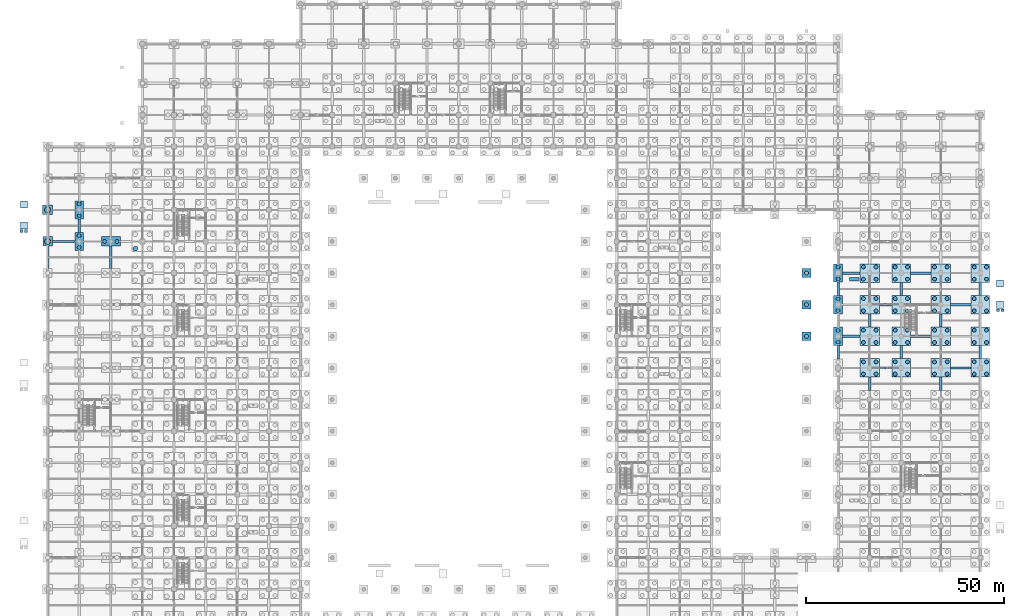
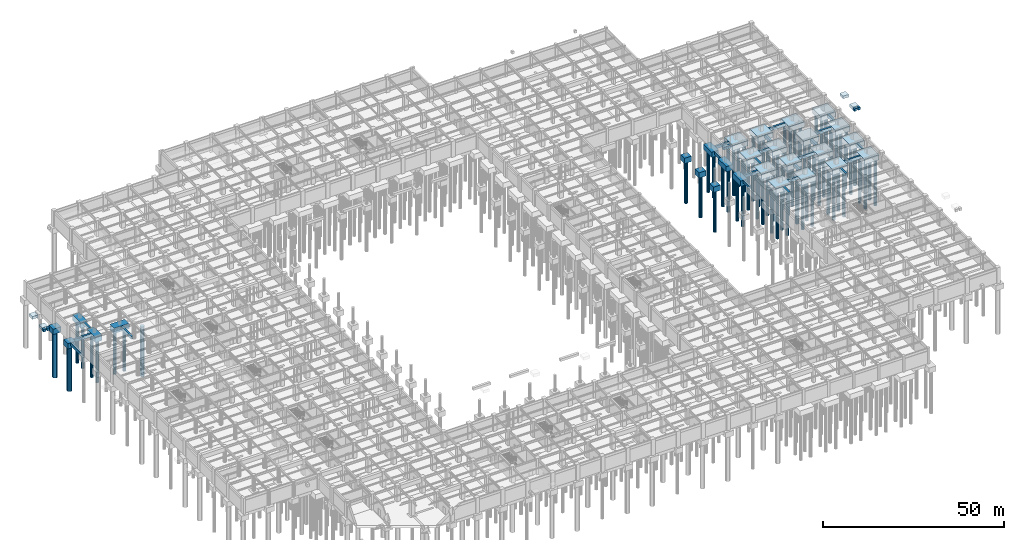
# One storey, part 13 of 97: 82 piles, 58 footings.
"""IFC4 building model written with IfcOpenShell, lengths in metres."""

from ifc_helpers import new_model, si_unit, direction, frame, origin, origin_2d, place, context, subcontext, project, spatial, rectangle, circle, extrude, material, layer, layer_set, material_profile, profile_set, type_object, element, save


model = new_model("IFC4")

# Units and contexts
model_context = context("Model", 3, precision=1e-05, world=origin(), true_north=direction((0.0, 1.0)))
body_context = subcontext(model_context, "Body", "Model", "MODEL_VIEW")
ifc_project = project(units=[si_unit("LENGTHUNIT", "METRE"), si_unit("AREAUNIT", "SQUARE_METRE"), si_unit("VOLUMEUNIT", "CUBIC_METRE"), si_unit("PLANEANGLEUNIT", "RADIAN"), si_unit("MASSUNIT", "GRAM", prefix="KILO")], contexts=[model_context])

# Site, building, storey
site_placement = place(None, origin())
site = spatial("IfcSite", under=ifc_project, at=site_placement, CompositionType="ELEMENT")
building_placement = place(site_placement, origin())
building = spatial("IfcBuilding", under=site, at=building_placement, Name="Haebicheon Civic Stadium", CompositionType="ELEMENT")
storey_placement = place(building_placement, frame((0.0, 0.0, -5.39990234375)))
storey = spatial("IfcBuildingStorey", under=building, at=storey_placement, Name="B1", CompositionType="ELEMENT", Elevation=-5.39990234375)

# Footings
ifc_material_1 = material(Name="Concrete C40/50", Category="concrete")
ifc_layer_1 = layer(ifc_material_1, 1.0, Name="Concrete C40/50")
ifc_layer_set_1 = layer_set([ifc_layer_1], Name="Concrete C40/50")
footing_type_1 = type_object("IfcFootingType", Name="FB-3200x600", PredefinedType="FOOTING_BEAM", material=ifc_layer_set_1)
for number, where, z_axis, x_axis, name in (
    (1, (212.050048828125, 96.0, -1.0), (0.0, 0.0, 1.0), (1.0, 0.0, 0.0), "Ground tie beam X 26-12"),
    (2, (212.050048828125, 112.0, -1.0), (0.0, 0.0, 1.0), (1.0, 0.0, 0.0), "Ground tie beam X 26-14"),
):
    element("IfcFooting", number, at=place(storey_placement, frame(where, z_axis=z_axis, x_axis=x_axis)), inside=storey, type_object=footing_type_1, material=ifc_layer_set_1, Name=name, PredefinedType="FOOTING_BEAM", context=body_context, shape_type="SweptSolid", body=[
        extrude(rectangle(XDim=3.199951171875, YDim=0.60009765625, at=origin_2d()), origin(), (0.0, 0.0, 1.0), 1.0),
    ])
ifc_material_2 = material(Name="Concrete C40/50", Category="concrete")
ifc_layer_2 = layer(ifc_material_2, 1.0, Name="Concrete C40/50")
ifc_layer_set_2 = layer_set([ifc_layer_2], Name="Concrete C40/50")
footing_type_2 = type_object("IfcFootingType", Name="FB-3300x600", PredefinedType="FOOTING_BEAM", material=ifc_layer_set_2)
for number, where, z_axis, x_axis, name in (
    (3, (208.0, 92.0, -1.0), (0.0, 0.0, 1.0), (0.0, 1.0, 0.0), "Ground tie beam Y 26-11"),
    (4, (208.0, 108.0, -1.0), (0.0, 0.0, 1.0), (0.0, 1.0, 0.0), "Ground tie beam Y 26-13"),
    (5, (216.0, 100.0, -1.0), (0.0, 0.0, 1.0), (0.0, 1.0, 0.0), "Ground tie beam Y 27-12"),
    (6, (216.0, 116.0, -1.0), (0.0, 0.0, 1.0), (0.0, 1.0, 0.0), "Ground tie beam Y 27-14"),
    (7, (226.0, 92.0, -1.0), (0.0, 0.0, 1.0), (0.0, 1.0, 0.0), "Ground tie beam Y 28-11"),
    (8, (226.0, 108.0, -1.0), (0.0, 0.0, 1.0), (0.0, 1.0, 0.0), "Ground tie beam Y 28-13"),
    (9, (236.0, 100.0, -1.0), (0.0, 0.0, 1.0), (0.0, 1.0, 0.0), "Ground tie beam Y 29-12"),
    (10, (236.0, 116.0, -1.0), (0.0, 0.0, 1.0), (0.0, 1.0, 0.0), "Ground tie beam Y 29-14"),
):
    element("IfcFooting", number, at=place(storey_placement, frame(where, z_axis=z_axis, x_axis=x_axis)), inside=storey, type_object=footing_type_2, material=ifc_layer_set_2, Name=name, PredefinedType="FOOTING_BEAM", context=body_context, shape_type="SweptSolid", body=[
        extrude(rectangle(XDim=3.300048828125, YDim=0.60009765625, at=origin_2d()), origin(), (0.0, 0.0, 1.0), 1.0),
    ])
ifc_material_3 = material(Name="Concrete C40/50", Category="concrete")
ifc_layer_3 = layer(ifc_material_3, 1.0, Name="Concrete C40/50")
ifc_layer_set_3 = layer_set([ifc_layer_3], Name="Concrete C40/50")
footing_type_3 = type_object("IfcFootingType", Name="FB-3400x600", PredefinedType="FOOTING_BEAM", material=ifc_layer_set_3)
for number, where, z_axis, x_axis, name in (
    (11, (8.0, 132.0, -1.0), (0.0, 0.0, 1.0), (0.0, 1.0, 0.0), "Ground tie beam Y 01-16"),
    (12, (200.0, 100.0, -1.0), (0.0, 0.0, 1.0), (0.0, 1.0, 0.0), "Ground tie beam Y 25-12"),
    (13, (200.0, 116.0, -1.0), (0.0, 0.0, 1.0), (0.0, 1.0, 0.0), "Ground tie beam Y 25-14"),
):
    element("IfcFooting", number, at=place(storey_placement, frame(where, z_axis=z_axis, x_axis=x_axis)), inside=storey, type_object=footing_type_3, material=ifc_layer_set_3, Name=name, PredefinedType="FOOTING_BEAM", context=body_context, shape_type="SweptSolid", body=[
        extrude(rectangle(XDim=3.39990234375, YDim=0.60009765625, at=origin_2d()), origin(), (0.0, 0.0, 1.0), 1.0),
    ])
ifc_material_4 = material(Name="Concrete C40/50", Category="concrete")
ifc_layer_4 = layer(ifc_material_4, 1.0, Name="Concrete C40/50")
ifc_layer_set_4 = layer_set([ifc_layer_4], Name="Concrete C40/50")
footing_type_4 = type_object("IfcFootingType", Name="FB-4450x600", PredefinedType="FOOTING_BEAM", material=ifc_layer_set_4)
for number, where, z_axis, x_axis, name in (
    (14, (203.324951171875, 104.0, -1.0), (0.0, 0.0, 1.0), (1.0, 0.0, 0.0), "Ground tie beam X 25-13"),
    (15, (203.324951171875, 120.0, -1.0), (0.0, 0.0, 1.0), (1.0, 0.0, 0.0), "Ground tie beam X 25-15"),
):
    element("IfcFooting", number, at=place(storey_placement, frame(where, z_axis=z_axis, x_axis=x_axis)), inside=storey, type_object=footing_type_4, material=ifc_layer_set_4, Name=name, PredefinedType="FOOTING_BEAM", context=body_context, shape_type="SweptSolid", body=[
        extrude(rectangle(XDim=4.449951171875, YDim=0.60009765625, at=origin_2d()), origin(), (0.0, 0.0, 1.0), 1.0),
    ])
ifc_material_5 = material(Name="Concrete C40/50", Category="concrete")
ifc_layer_5 = layer(ifc_material_5, 1.0, Name="Concrete C40/50")
ifc_layer_set_5 = layer_set([ifc_layer_5], Name="Concrete C40/50")
footing_type_5 = type_object("IfcFootingType", Name="FB-5200x600", PredefinedType="FOOTING_BEAM", material=ifc_layer_set_5)
for number, where, z_axis, x_axis, name in (
    (16, (220.949951171875, 104.0, -1.0), (0.0, 0.0, 1.0), (1.0, 0.0, 0.0), "Ground tie beam X 27-13"),
    (17, (220.949951171875, 120.0, -1.0), (0.0, 0.0, 1.0), (1.0, 0.0, 0.0), "Ground tie beam X 27-15"),
    (18, (231.050048828125, 96.0, -1.0), (0.0, 0.0, 1.0), (1.0, 0.0, 0.0), "Ground tie beam X 28-12"),
    (19, (231.050048828125, 112.0, -1.0), (0.0, 0.0, 1.0), (1.0, 0.0, 0.0), "Ground tie beam X 28-14"),
):
    element("IfcFooting", number, at=place(storey_placement, frame(where, z_axis=z_axis, x_axis=x_axis)), inside=storey, type_object=footing_type_5, material=ifc_layer_set_5, Name=name, PredefinedType="FOOTING_BEAM", context=body_context, shape_type="SweptSolid", body=[
        extrude(rectangle(XDim=5.199951171875, YDim=0.60009765625, at=origin_2d()), origin(), (0.0, 0.0, 1.0), 1.0),
    ])
ifc_material_6 = material(Name="Concrete C40/50", Category="concrete")
ifc_layer_6 = layer(ifc_material_6, 1.0, Name="Concrete C40/50")
ifc_layer_set_6 = layer_set([ifc_layer_6], Name="Concrete C40/50")
footing_type_6 = type_object("IfcFootingType", Name="FB-5700x600", PredefinedType="FOOTING_BEAM", material=ifc_layer_set_6)
for number, where, z_axis, x_axis, name in (
    (20, (0.0, 123.949951171875, -1.0), (0.0, 0.0, 1.0), (0.0, 1.0, 0.0), "Ground tie beam Y 00-15"),
    (21, (4.050048828125, 128.0, -1.0), (0.0, 0.0, 1.0), (1.0, 0.0, 0.0), "Ground tie beam X 00-16"),
    (22, (16.0, 123.949951171875, -1.0), (0.0, 0.0, 1.0), (0.0, 1.0, 0.0), "Ground tie beam Y 02-15"),
):
    element("IfcFooting", number, at=place(storey_placement, frame(where, z_axis=z_axis, x_axis=x_axis)), inside=storey, type_object=footing_type_6, material=ifc_layer_set_6, Name=name, PredefinedType="FOOTING_BEAM", context=body_context, shape_type="SweptSolid", body=[
        extrude(rectangle(XDim=5.699951171875, YDim=0.60009765625, at=origin_2d()), origin(), (0.0, 0.0, 1.0), 1.0),
    ])
ifc_material_7 = material(Name="Concrete C40/50", Category="concrete")
ifc_layer_7 = layer(ifc_material_7, 1.800048828125, Name="Concrete C40/50")
ifc_layer_set_7 = layer_set([ifc_layer_7], Name="Concrete C40/50")
footing_type_7 = type_object("IfcFootingType", Name="PC-1P-2200", PredefinedType="PILE_CAP", material=ifc_layer_set_7)
for number, where, z_axis, x_axis, name in (
    (23, (192.0, 104.0, -1.80029296875), (0.0, 0.0, 1.0), (1.0, 0.0, 0.0), "Bowl pier pile cap FT-BPC-045"),
    (24, (192.0, 112.0, -1.80029296875), (0.0, 0.0, 1.0), (1.0, 0.0, 0.0), "Bowl pier pile cap FT-BPC-046"),
    (25, (192.0, 120.0, -1.80029296875), (0.0, 0.0, 1.0), (1.0, 0.0, 0.0), "Bowl pier pile cap FT-BPC-047"),
):
    element("IfcFooting", number, at=place(storey_placement, frame(where, z_axis=z_axis, x_axis=x_axis)), inside=storey, type_object=footing_type_7, material=ifc_layer_set_7, Name=name, PredefinedType="PILE_CAP", context=body_context, shape_type="SweptSolid", body=[
        extrude(rectangle(XDim=2.199951171875, YDim=2.199951171875, at=origin_2d()), origin(), (0.0, 0.0, 1.0), 1.800048828125),
    ])
ifc_material_8 = material(Name="Concrete C40/50", Category="concrete")
ifc_layer_8 = layer(ifc_material_8, 1.800048828125, Name="Concrete C40/50")
ifc_layer_set_8 = layer_set([ifc_layer_8], Name="Concrete C40/50")
footing_type_8 = type_object("IfcFootingType", Name="PC-1P-2400", PredefinedType="PILE_CAP", material=ifc_layer_set_8)
footing_1_placement = place(storey_placement, frame((0.0, 128.0, -1.80029296875), z_axis=(0.0, 0.0, 1.0), x_axis=(1.0, 0.0, 0.0)))
element("IfcFooting", 26, at=footing_1_placement, inside=storey, type_object=footing_type_8, material=ifc_layer_set_8, Name="Pile cap FT-PC-00-16", PredefinedType="PILE_CAP", context=body_context, shape_type="SweptSolid", body=[
    extrude(rectangle(XDim=2.39990234375, YDim=2.39990234375, at=origin_2d()), origin(), (0.0, 0.0, 1.0), 1.800048828125),
])
ifc_material_9 = material(Name="Concrete C40/50", Category="concrete")
ifc_layer_9 = layer(ifc_material_9, 1.800048828125, Name="Concrete C40/50")
ifc_layer_set_9 = layer_set([ifc_layer_9], Name="Concrete C40/50")
footing_type_9 = type_object("IfcFootingType", Name="PC-1P-2600", PredefinedType="PILE_CAP", material=ifc_layer_set_9)
footing_2_placement = place(storey_placement, frame((0.0, 136.0, -1.80029296875), z_axis=(0.0, 0.0, 1.0), x_axis=(1.0, 0.0, 0.0)))
element("IfcFooting", 27, at=footing_2_placement, inside=storey, type_object=footing_type_9, material=ifc_layer_set_9, Name="Pile cap FT-PC-00-17", PredefinedType="PILE_CAP", context=body_context, shape_type="SweptSolid", body=[
    extrude(rectangle(XDim=2.60009765625, YDim=2.39990234375, at=origin_2d()), origin(), (0.0, 0.0, 1.0), 1.800048828125),
])
ifc_material_10 = material(Name="Concrete C40/50", Category="concrete")
ifc_layer_10 = layer(ifc_material_10, 1.800048828125, Name="Concrete C40/50")
ifc_layer_set_10 = layer_set([ifc_layer_10], Name="Concrete C40/50")
footing_type_10 = type_object("IfcFootingType", Name="PC-2P-2200", PredefinedType="PILE_CAP", material=ifc_layer_set_10)
for number, where, z_axis, x_axis, name in (
    (28, (8.0, 128.0, -1.80029296875), (0.0, 0.0, 1.0), (1.0, 0.0, 0.0), "Pile cap FT-PC-01-16"),
    (29, (8.0, 136.0, -1.80029296875), (0.0, 0.0, 1.0), (1.0, 0.0, 0.0), "Pile cap FT-PC-01-17"),
    (30, (200.0, 104.0, -1.80029296875), (0.0, 0.0, 1.0), (1.0, 0.0, 0.0), "Pile cap FT-PC-25-13"),
    (31, (200.0, 112.0, -1.80029296875), (0.0, 0.0, 1.0), (1.0, 0.0, 0.0), "Pile cap FT-PC-25-14"),
    (32, (200.0, 120.0, -1.80029296875), (0.0, 0.0, 1.0), (1.0, 0.0, 0.0), "Pile cap FT-PC-25-15"),
):
    element("IfcFooting", number, at=place(storey_placement, frame(where, z_axis=z_axis, x_axis=x_axis)), inside=storey, type_object=footing_type_10, material=ifc_layer_set_10, Name=name, PredefinedType="PILE_CAP", context=body_context, shape_type="SweptSolid", body=[
        extrude(rectangle(XDim=2.199951171875, YDim=4.60009765625, at=origin_2d()), origin(), (0.0, 0.0, 1.0), 1.800048828125),
    ])
ifc_material_11 = material(Name="Concrete C40/50", Category="concrete")
ifc_layer_11 = layer(ifc_material_11, 1.800048828125, Name="Concrete C40/50")
ifc_layer_set_11 = layer_set([ifc_layer_11], Name="Concrete C40/50")
footing_type_11 = type_object("IfcFootingType", Name="PC-2P-4800", PredefinedType="PILE_CAP", material=ifc_layer_set_11)
footing_3_placement = place(storey_placement, frame((16.0, 128.0, -1.80029296875), z_axis=(0.0, 0.0, 1.0), x_axis=(1.0, 0.0, 0.0)))
element("IfcFooting", 33, at=footing_3_placement, inside=storey, type_object=footing_type_11, material=ifc_layer_set_11, Name="Pile cap FT-PC-02-16", PredefinedType="PILE_CAP", context=body_context, shape_type="SweptSolid", body=[
    extrude(rectangle(XDim=4.800048828125, YDim=2.39990234375, at=origin_2d()), origin(), (0.0, 0.0, 1.0), 1.800048828125),
])
ifc_material_12 = material(Name="Concrete C40/50", Category="concrete")
ifc_layer_12 = layer(ifc_material_12, 1.800048828125, Name="Concrete C40/50")
ifc_layer_set_12 = layer_set([ifc_layer_12], Name="Concrete C40/50")
footing_type_12 = type_object("IfcFootingType", Name="PC-4P-4700", PredefinedType="PILE_CAP", material=ifc_layer_set_12)
for number, where, z_axis, x_axis, name in (
    (34, (216.0, 96.0, -1.80029296875), (0.0, 0.0, 1.0), (1.0, 0.0, 0.0), "Pile cap FT-PC-27-12"),
    (35, (216.0, 104.0, -1.80029296875), (0.0, 0.0, 1.0), (1.0, 0.0, 0.0), "Pile cap FT-PC-27-13"),
    (36, (216.0, 112.0, -1.80029296875), (0.0, 0.0, 1.0), (1.0, 0.0, 0.0), "Pile cap FT-PC-27-14"),
    (37, (216.0, 120.0, -1.80029296875), (0.0, 0.0, 1.0), (1.0, 0.0, 0.0), "Pile cap FT-PC-27-15"),
    (38, (236.0, 96.0, -1.80029296875), (0.0, 0.0, 1.0), (1.0, 0.0, 0.0), "Pile cap FT-PC-29-12"),
    (39, (236.0, 104.0, -1.80029296875), (0.0, 0.0, 1.0), (1.0, 0.0, 0.0), "Pile cap FT-PC-29-13"),
    (40, (236.0, 112.0, -1.80029296875), (0.0, 0.0, 1.0), (1.0, 0.0, 0.0), "Pile cap FT-PC-29-14"),
    (41, (236.0, 120.0, -1.80029296875), (0.0, 0.0, 1.0), (1.0, 0.0, 0.0), "Pile cap FT-PC-29-15"),
):
    element("IfcFooting", number, at=place(storey_placement, frame(where, z_axis=z_axis, x_axis=x_axis)), inside=storey, type_object=footing_type_12, material=ifc_layer_set_12, Name=name, PredefinedType="PILE_CAP", context=body_context, shape_type="SweptSolid", body=[
        extrude(rectangle(XDim=4.699951171875, YDim=4.699951171875, at=origin_2d()), origin(), (0.0, 0.0, 1.0), 1.800048828125),
    ])
ifc_material_13 = material(Name="Concrete C40/50", Category="concrete")
ifc_layer_13 = layer(ifc_material_13, 1.800048828125, Name="Concrete C40/50")
ifc_layer_set_13 = layer_set([ifc_layer_13], Name="Concrete C40/50")
footing_type_13 = type_object("IfcFootingType", Name="PC-4P-4900", PredefinedType="PILE_CAP", material=ifc_layer_set_13)
for number, where, z_axis, x_axis, name in (
    (42, (208.0, 96.0, -1.80029296875), (0.0, 0.0, 1.0), (1.0, 0.0, 0.0), "Pile cap FT-PC-26-12"),
    (43, (208.0, 104.0, -1.80029296875), (0.0, 0.0, 1.0), (1.0, 0.0, 0.0), "Pile cap FT-PC-26-13"),
    (44, (208.0, 112.0, -1.80029296875), (0.0, 0.0, 1.0), (1.0, 0.0, 0.0), "Pile cap FT-PC-26-14"),
    (45, (208.0, 120.0, -1.80029296875), (0.0, 0.0, 1.0), (1.0, 0.0, 0.0), "Pile cap FT-PC-26-15"),
    (46, (226.0, 96.0, -1.80029296875), (0.0, 0.0, 1.0), (1.0, 0.0, 0.0), "Pile cap FT-PC-28-12"),
    (47, (226.0, 104.0, -1.80029296875), (0.0, 0.0, 1.0), (1.0, 0.0, 0.0), "Pile cap FT-PC-28-13"),
    (48, (226.0, 112.0, -1.80029296875), (0.0, 0.0, 1.0), (1.0, 0.0, 0.0), "Pile cap FT-PC-28-14"),
    (49, (226.0, 120.0, -1.80029296875), (0.0, 0.0, 1.0), (1.0, 0.0, 0.0), "Pile cap FT-PC-28-15"),
):
    element("IfcFooting", number, at=place(storey_placement, frame(where, z_axis=z_axis, x_axis=x_axis)), inside=storey, type_object=footing_type_13, material=ifc_layer_set_13, Name=name, PredefinedType="PILE_CAP", context=body_context, shape_type="SweptSolid", body=[
        extrude(rectangle(XDim=4.89990234375, YDim=4.699951171875, at=origin_2d()), origin(), (0.0, 0.0, 1.0), 1.800048828125),
    ])
ifc_material_14 = material(Name="Concrete C35/45", Category="concrete")
ifc_layer_14 = layer(ifc_material_14, 0.89990234375, Name="Concrete C35/45")
ifc_layer_set_14 = layer_set([ifc_layer_14], Name="Concrete C35/45")
footing_type_14 = type_object("IfcFootingType", Name="PF-1800", PredefinedType="PAD_FOOTING", material=ifc_layer_set_14)
for number, where, z_axis, x_axis, name in (
    (50, (-6.0, 132.0, 3.849853515625), (0.0, 0.0, 1.0), (1.0, 0.0, 0.0), "Ramp lower pad footing RMP-03"),
    (51, (-6.0, 137.39990234375, 4.300048828125), (0.0, 0.0, 1.0), (1.0, 0.0, 0.0), "Ramp upper pad footing RMP-03"),
    (52, (241.0, 112.0, 3.849853515625), (0.0, 0.0, 1.0), (1.0, 0.0, 0.0), "Ramp lower pad footing RMP-05"),
    (53, (241.0, 117.39990234375, 4.300048828125), (0.0, 0.0, 1.0), (1.0, 0.0, 0.0), "Ramp upper pad footing RMP-05"),
):
    element("IfcFooting", number, at=place(storey_placement, frame(where, z_axis=z_axis, x_axis=x_axis)), inside=storey, type_object=footing_type_14, material=ifc_layer_set_14, Name=name, PredefinedType="PAD_FOOTING", context=body_context, shape_type="SweptSolid", body=[
        extrude(rectangle(XDim=1.800048828125, YDim=1.800048828125, at=origin_2d()), origin(), (0.0, 0.0, 1.0), 0.89990234375),
    ])
ifc_material_15 = material(Name="Concrete C35/45", Category="concrete")
ifc_layer_15 = layer(ifc_material_15, 0.89990234375, Name="Concrete C35/45")
ifc_layer_set_15 = layer_set([ifc_layer_15], Name="Concrete C35/45")
footing_type_15 = type_object("IfcFootingType", Name="PF-2360x800", PredefinedType="PAD_FOOTING", material=ifc_layer_set_15)
footing_4_placement = place(storey_placement, frame((204.050048828125, 118.449951171875, -0.900146484375), z_axis=(0.0, 0.0, 1.0), x_axis=(1.0, 0.0, 0.0)))
element("IfcFooting", 54, at=footing_4_placement, inside=storey, type_object=footing_type_15, material=ifc_layer_set_15, Name="VM-12 vomitory landing pad footing", PredefinedType="PAD_FOOTING", context=body_context, shape_type="SweptSolid", body=[
    extrude(rectangle(XDim=2.360107421875, YDim=0.800048828125, at=origin_2d()), origin(), (0.0, 0.0, 1.0), 0.89990234375),
])
ifc_material_16 = material(Name="Concrete C35/45", Category="concrete")
ifc_layer_16 = layer(ifc_material_16, 0.89990234375, Name="Concrete C35/45")
ifc_layer_set_16 = layer_set([ifc_layer_16], Name="Concrete C35/45")
footing_type_16 = type_object("IfcFootingType", Name="PF-750", PredefinedType="PAD_FOOTING", material=ifc_layer_set_16)
for number, where, z_axis, x_axis, name in (
    (55, (-6.60009765625, 130.60009765625, 3.849853515625), (0.0, 0.0, 1.0), (1.0, 0.0, 0.0), "Ramp landing corner pad footing RMP-03.1"),
    (56, (-5.39990234375, 130.60009765625, 3.849853515625), (0.0, 0.0, 1.0), (1.0, 0.0, 0.0), "Ramp landing corner pad footing RMP-03.2"),
    (57, (240.39990234375, 110.60009765625, 3.849853515625), (0.0, 0.0, 1.0), (1.0, 0.0, 0.0), "Ramp landing corner pad footing RMP-05.1"),
    (58, (241.60009765625, 110.60009765625, 3.849853515625), (0.0, 0.0, 1.0), (1.0, 0.0, 0.0), "Ramp landing corner pad footing RMP-05.2"),
):
    element("IfcFooting", number, at=place(storey_placement, frame(where, z_axis=z_axis, x_axis=x_axis)), inside=storey, type_object=footing_type_16, material=ifc_layer_set_16, Name=name, PredefinedType="PAD_FOOTING", context=body_context, shape_type="SweptSolid", body=[
        extrude(rectangle(XDim=0.75, YDim=0.75, at=origin_2d()), origin(), (0.0, 0.0, 1.0), 0.89990234375),
    ])

# Piles
ifc_material_17 = material(Name="Concrete C40/50", Category="concrete")
ifc_material_profile_1 = material_profile(ifc_material_17, circle(Radius=0.5, at=origin_2d()), Name="PILE-D1000")
ifc_profile_set_1 = profile_set([ifc_material_profile_1], Name="Concrete C40/50")
pile_type_1 = type_object("IfcPileType", Name="PL-D1000", PredefinedType="BORED", material=ifc_profile_set_1)
for number, where, z_axis, x_axis, name in (
    (59, (8.0, 126.5, -1.7001953125), (0.0, 0.0, -1.0), (1.0, 0.0, 0.0), "Bored pile 01-16-1"),
    (60, (8.0, 129.5, -1.7001953125), (0.0, 0.0, -1.0), (1.0, 0.0, 0.0), "Bored pile 01-16-2"),
    (61, (8.0, 134.5, -1.7001953125), (0.0, 0.0, -1.0), (1.0, 0.0, 0.0), "Bored pile 01-17-1"),
    (62, (8.0, 137.5, -1.7001953125), (0.0, 0.0, -1.0), (1.0, 0.0, 0.0), "Bored pile 01-17-2"),
):
    element("IfcPile", number, at=place(storey_placement, frame(where, z_axis=z_axis, x_axis=x_axis)), inside=storey, type_object=pile_type_1, material=ifc_profile_set_1, Name=name, PredefinedType="BORED", context=body_context, shape_type="SweptSolid", body=[
        extrude(circle(Radius=0.5, at=origin_2d()), origin(), (0.0, 0.0, 1.0), 14.300048828125),
    ])
for number, where, z_axis, x_axis, name in (
    (63, (14.449951171875, 128.0, -1.7001953125), (0.0, 0.0, -1.0), (1.0, 0.0, 0.0), "Bored pile 02-16-1"),
    (64, (17.550048828125, 128.0, -1.7001953125), (0.0, 0.0, -1.0), (1.0, 0.0, 0.0), "Bored pile 02-16-2"),
):
    element("IfcPile", number, at=place(storey_placement, frame(where, z_axis=z_axis, x_axis=x_axis)), inside=storey, type_object=pile_type_1, material=ifc_profile_set_1, Name=name, PredefinedType="BORED", context=body_context, shape_type="SweptSolid", body=[
        extrude(circle(Radius=0.5, at=origin_2d()), origin(), (0.0, 0.0, 1.0), 14.60009765625),
    ])
for number, where, z_axis, x_axis, name in (
    (65, (200.0, 102.5, -1.7001953125), (0.0, 0.0, -1.0), (1.0, 0.0, 0.0), "Bored pile 25-13-1"),
    (66, (200.0, 105.5, -1.7001953125), (0.0, 0.0, -1.0), (1.0, 0.0, 0.0), "Bored pile 25-13-2"),
    (67, (200.0, 110.5, -1.7001953125), (0.0, 0.0, -1.0), (1.0, 0.0, 0.0), "Bored pile 25-14-1"),
    (68, (200.0, 113.5, -1.7001953125), (0.0, 0.0, -1.0), (1.0, 0.0, 0.0), "Bored pile 25-14-2"),
    (69, (200.0, 118.5, -1.7001953125), (0.0, 0.0, -1.0), (1.0, 0.0, 0.0), "Bored pile 25-15-1"),
    (70, (200.0, 121.5, -1.7001953125), (0.0, 0.0, -1.0), (1.0, 0.0, 0.0), "Bored pile 25-15-2"),
):
    element("IfcPile", number, at=place(storey_placement, frame(where, z_axis=z_axis, x_axis=x_axis)), inside=storey, type_object=pile_type_1, material=ifc_profile_set_1, Name=name, PredefinedType="BORED", context=body_context, shape_type="SweptSolid", body=[
        extrude(circle(Radius=0.5, at=origin_2d()), origin(), (0.0, 0.0, 1.0), 14.300048828125),
    ])
for number, where, z_axis, x_axis, name in (
    (71, (206.39990234375, 94.449951171875, -1.7001953125), (0.0, 0.0, -1.0), (1.0, 0.0, 0.0), "Bored pile 26-12-1"),
    (72, (209.60009765625, 94.449951171875, -1.7001953125), (0.0, 0.0, -1.0), (1.0, 0.0, 0.0), "Bored pile 26-12-2"),
    (73, (206.39990234375, 97.550048828125, -1.7001953125), (0.0, 0.0, -1.0), (1.0, 0.0, 0.0), "Bored pile 26-12-3"),
    (74, (209.60009765625, 97.550048828125, -1.7001953125), (0.0, 0.0, -1.0), (1.0, 0.0, 0.0), "Bored pile 26-12-4"),
    (75, (206.39990234375, 102.449951171875, -1.7001953125), (0.0, 0.0, -1.0), (1.0, 0.0, 0.0), "Bored pile 26-13-1"),
    (76, (209.60009765625, 102.449951171875, -1.7001953125), (0.0, 0.0, -1.0), (1.0, 0.0, 0.0), "Bored pile 26-13-2"),
    (77, (206.39990234375, 105.550048828125, -1.7001953125), (0.0, 0.0, -1.0), (1.0, 0.0, 0.0), "Bored pile 26-13-3"),
    (78, (209.60009765625, 105.550048828125, -1.7001953125), (0.0, 0.0, -1.0), (1.0, 0.0, 0.0), "Bored pile 26-13-4"),
    (79, (206.39990234375, 110.449951171875, -1.7001953125), (0.0, 0.0, -1.0), (1.0, 0.0, 0.0), "Bored pile 26-14-1"),
    (80, (209.60009765625, 110.449951171875, -1.7001953125), (0.0, 0.0, -1.0), (1.0, 0.0, 0.0), "Bored pile 26-14-2"),
    (81, (206.39990234375, 113.550048828125, -1.7001953125), (0.0, 0.0, -1.0), (1.0, 0.0, 0.0), "Bored pile 26-14-3"),
    (82, (209.60009765625, 113.550048828125, -1.7001953125), (0.0, 0.0, -1.0), (1.0, 0.0, 0.0), "Bored pile 26-14-4"),
    (83, (206.39990234375, 118.449951171875, -1.7001953125), (0.0, 0.0, -1.0), (1.0, 0.0, 0.0), "Bored pile 26-15-1"),
    (84, (209.60009765625, 118.449951171875, -1.7001953125), (0.0, 0.0, -1.0), (1.0, 0.0, 0.0), "Bored pile 26-15-2"),
    (85, (206.39990234375, 121.550048828125, -1.7001953125), (0.0, 0.0, -1.0), (1.0, 0.0, 0.0), "Bored pile 26-15-3"),
    (86, (209.60009765625, 121.550048828125, -1.7001953125), (0.0, 0.0, -1.0), (1.0, 0.0, 0.0), "Bored pile 26-15-4"),
):
    element("IfcPile", number, at=place(storey_placement, frame(where, z_axis=z_axis, x_axis=x_axis)), inside=storey, type_object=pile_type_1, material=ifc_profile_set_1, Name=name, PredefinedType="BORED", context=body_context, shape_type="SweptSolid", body=[
        extrude(circle(Radius=0.5, at=origin_2d()), origin(), (0.0, 0.0, 1.0), 15.800048828125),
    ])
for number, where, z_axis, x_axis, name in (
    (87, (214.449951171875, 94.449951171875, -1.7001953125), (0.0, 0.0, -1.0), (1.0, 0.0, 0.0), "Bored pile 27-12-1"),
    (88, (217.550048828125, 94.449951171875, -1.7001953125), (0.0, 0.0, -1.0), (1.0, 0.0, 0.0), "Bored pile 27-12-2"),
    (89, (214.449951171875, 97.550048828125, -1.7001953125), (0.0, 0.0, -1.0), (1.0, 0.0, 0.0), "Bored pile 27-12-3"),
    (90, (217.550048828125, 97.550048828125, -1.7001953125), (0.0, 0.0, -1.0), (1.0, 0.0, 0.0), "Bored pile 27-12-4"),
    (91, (214.449951171875, 102.449951171875, -1.7001953125), (0.0, 0.0, -1.0), (1.0, 0.0, 0.0), "Bored pile 27-13-1"),
    (92, (217.550048828125, 102.449951171875, -1.7001953125), (0.0, 0.0, -1.0), (1.0, 0.0, 0.0), "Bored pile 27-13-2"),
    (93, (214.449951171875, 105.550048828125, -1.7001953125), (0.0, 0.0, -1.0), (1.0, 0.0, 0.0), "Bored pile 27-13-3"),
    (94, (217.550048828125, 105.550048828125, -1.7001953125), (0.0, 0.0, -1.0), (1.0, 0.0, 0.0), "Bored pile 27-13-4"),
    (95, (214.449951171875, 110.449951171875, -1.7001953125), (0.0, 0.0, -1.0), (1.0, 0.0, 0.0), "Bored pile 27-14-1"),
    (96, (217.550048828125, 110.449951171875, -1.7001953125), (0.0, 0.0, -1.0), (1.0, 0.0, 0.0), "Bored pile 27-14-2"),
    (97, (214.449951171875, 113.550048828125, -1.7001953125), (0.0, 0.0, -1.0), (1.0, 0.0, 0.0), "Bored pile 27-14-3"),
    (98, (217.550048828125, 113.550048828125, -1.7001953125), (0.0, 0.0, -1.0), (1.0, 0.0, 0.0), "Bored pile 27-14-4"),
    (99, (214.449951171875, 118.449951171875, -1.7001953125), (0.0, 0.0, -1.0), (1.0, 0.0, 0.0), "Bored pile 27-15-1"),
    (100, (217.550048828125, 118.449951171875, -1.7001953125), (0.0, 0.0, -1.0), (1.0, 0.0, 0.0), "Bored pile 27-15-2"),
    (101, (214.449951171875, 121.550048828125, -1.7001953125), (0.0, 0.0, -1.0), (1.0, 0.0, 0.0), "Bored pile 27-15-3"),
    (102, (217.550048828125, 121.550048828125, -1.7001953125), (0.0, 0.0, -1.0), (1.0, 0.0, 0.0), "Bored pile 27-15-4"),
):
    element("IfcPile", number, at=place(storey_placement, frame(where, z_axis=z_axis, x_axis=x_axis)), inside=storey, type_object=pile_type_1, material=ifc_profile_set_1, Name=name, PredefinedType="BORED", context=body_context, shape_type="SweptSolid", body=[
        extrude(circle(Radius=0.5, at=origin_2d()), origin(), (0.0, 0.0, 1.0), 15.5),
    ])
for number, where, z_axis, x_axis, name in (
    (103, (224.39990234375, 94.449951171875, -1.7001953125), (0.0, 0.0, -1.0), (1.0, 0.0, 0.0), "Bored pile 28-12-1"),
    (104, (227.60009765625, 94.449951171875, -1.7001953125), (0.0, 0.0, -1.0), (1.0, 0.0, 0.0), "Bored pile 28-12-2"),
    (105, (224.39990234375, 97.550048828125, -1.7001953125), (0.0, 0.0, -1.0), (1.0, 0.0, 0.0), "Bored pile 28-12-3"),
    (106, (227.60009765625, 97.550048828125, -1.7001953125), (0.0, 0.0, -1.0), (1.0, 0.0, 0.0), "Bored pile 28-12-4"),
    (107, (224.39990234375, 102.449951171875, -1.7001953125), (0.0, 0.0, -1.0), (1.0, 0.0, 0.0), "Bored pile 28-13-1"),
    (108, (227.60009765625, 102.449951171875, -1.7001953125), (0.0, 0.0, -1.0), (1.0, 0.0, 0.0), "Bored pile 28-13-2"),
    (109, (224.39990234375, 105.550048828125, -1.7001953125), (0.0, 0.0, -1.0), (1.0, 0.0, 0.0), "Bored pile 28-13-3"),
    (110, (227.60009765625, 105.550048828125, -1.7001953125), (0.0, 0.0, -1.0), (1.0, 0.0, 0.0), "Bored pile 28-13-4"),
    (111, (224.39990234375, 110.449951171875, -1.7001953125), (0.0, 0.0, -1.0), (1.0, 0.0, 0.0), "Bored pile 28-14-1"),
    (112, (227.60009765625, 110.449951171875, -1.7001953125), (0.0, 0.0, -1.0), (1.0, 0.0, 0.0), "Bored pile 28-14-2"),
    (113, (224.39990234375, 113.550048828125, -1.7001953125), (0.0, 0.0, -1.0), (1.0, 0.0, 0.0), "Bored pile 28-14-3"),
    (114, (227.60009765625, 113.550048828125, -1.7001953125), (0.0, 0.0, -1.0), (1.0, 0.0, 0.0), "Bored pile 28-14-4"),
    (115, (224.39990234375, 118.449951171875, -1.7001953125), (0.0, 0.0, -1.0), (1.0, 0.0, 0.0), "Bored pile 28-15-1"),
    (116, (227.60009765625, 118.449951171875, -1.7001953125), (0.0, 0.0, -1.0), (1.0, 0.0, 0.0), "Bored pile 28-15-2"),
    (117, (224.39990234375, 121.550048828125, -1.7001953125), (0.0, 0.0, -1.0), (1.0, 0.0, 0.0), "Bored pile 28-15-3"),
    (118, (227.60009765625, 121.550048828125, -1.7001953125), (0.0, 0.0, -1.0), (1.0, 0.0, 0.0), "Bored pile 28-15-4"),
):
    element("IfcPile", number, at=place(storey_placement, frame(where, z_axis=z_axis, x_axis=x_axis)), inside=storey, type_object=pile_type_1, material=ifc_profile_set_1, Name=name, PredefinedType="BORED", context=body_context, shape_type="SweptSolid", body=[
        extrude(circle(Radius=0.5, at=origin_2d()), origin(), (0.0, 0.0, 1.0), 15.800048828125),
    ])
for number, where, z_axis, x_axis, name in (
    (119, (234.449951171875, 94.449951171875, -1.7001953125), (0.0, 0.0, -1.0), (1.0, 0.0, 0.0), "Bored pile 29-12-1"),
    (120, (237.550048828125, 94.449951171875, -1.7001953125), (0.0, 0.0, -1.0), (1.0, 0.0, 0.0), "Bored pile 29-12-2"),
    (121, (234.449951171875, 97.550048828125, -1.7001953125), (0.0, 0.0, -1.0), (1.0, 0.0, 0.0), "Bored pile 29-12-3"),
    (122, (237.550048828125, 97.550048828125, -1.7001953125), (0.0, 0.0, -1.0), (1.0, 0.0, 0.0), "Bored pile 29-12-4"),
    (123, (234.449951171875, 102.449951171875, -1.7001953125), (0.0, 0.0, -1.0), (1.0, 0.0, 0.0), "Bored pile 29-13-1"),
    (124, (237.550048828125, 102.449951171875, -1.7001953125), (0.0, 0.0, -1.0), (1.0, 0.0, 0.0), "Bored pile 29-13-2"),
    (125, (234.449951171875, 105.550048828125, -1.7001953125), (0.0, 0.0, -1.0), (1.0, 0.0, 0.0), "Bored pile 29-13-3"),
    (126, (237.550048828125, 105.550048828125, -1.7001953125), (0.0, 0.0, -1.0), (1.0, 0.0, 0.0), "Bored pile 29-13-4"),
    (127, (234.449951171875, 110.449951171875, -1.7001953125), (0.0, 0.0, -1.0), (1.0, 0.0, 0.0), "Bored pile 29-14-1"),
    (128, (237.550048828125, 110.449951171875, -1.7001953125), (0.0, 0.0, -1.0), (1.0, 0.0, 0.0), "Bored pile 29-14-2"),
    (129, (234.449951171875, 113.550048828125, -1.7001953125), (0.0, 0.0, -1.0), (1.0, 0.0, 0.0), "Bored pile 29-14-3"),
    (130, (237.550048828125, 113.550048828125, -1.7001953125), (0.0, 0.0, -1.0), (1.0, 0.0, 0.0), "Bored pile 29-14-4"),
    (131, (234.449951171875, 118.449951171875, -1.7001953125), (0.0, 0.0, -1.0), (1.0, 0.0, 0.0), "Bored pile 29-15-1"),
    (132, (237.550048828125, 118.449951171875, -1.7001953125), (0.0, 0.0, -1.0), (1.0, 0.0, 0.0), "Bored pile 29-15-2"),
    (133, (234.449951171875, 121.550048828125, -1.7001953125), (0.0, 0.0, -1.0), (1.0, 0.0, 0.0), "Bored pile 29-15-3"),
    (134, (237.550048828125, 121.550048828125, -1.7001953125), (0.0, 0.0, -1.0), (1.0, 0.0, 0.0), "Bored pile 29-15-4"),
):
    element("IfcPile", number, at=place(storey_placement, frame(where, z_axis=z_axis, x_axis=x_axis)), inside=storey, type_object=pile_type_1, material=ifc_profile_set_1, Name=name, PredefinedType="BORED", context=body_context, shape_type="SweptSolid", body=[
        extrude(circle(Radius=0.5, at=origin_2d()), origin(), (0.0, 0.0, 1.0), 15.5),
    ])
for number, where, z_axis, x_axis, name in (
    (135, (192.0, 104.0, -1.7001953125), (0.0, 0.0, -1.0), (1.0, 0.0, 0.0), "Bowl pier bored pile 045"),
    (136, (192.0, 112.0, -1.7001953125), (0.0, 0.0, -1.0), (1.0, 0.0, 0.0), "Bowl pier bored pile 046"),
    (137, (192.0, 120.0, -1.7001953125), (0.0, 0.0, -1.0), (1.0, 0.0, 0.0), "Bowl pier bored pile 047"),
):
    element("IfcPile", number, at=place(storey_placement, frame(where, z_axis=z_axis, x_axis=x_axis)), inside=storey, type_object=pile_type_1, material=ifc_profile_set_1, Name=name, PredefinedType="BORED", context=body_context, shape_type="SweptSolid", body=[
        extrude(circle(Radius=0.5, at=origin_2d()), origin(), (0.0, 0.0, 1.0), 14.300048828125),
    ])
ifc_material_18 = material(Name="Concrete C40/50", Category="concrete")
ifc_material_profile_2 = material_profile(ifc_material_18, circle(Radius=0.60009765625, at=origin_2d()), Name="PILE-D1200")
ifc_profile_set_2 = profile_set([ifc_material_profile_2], Name="Concrete C40/50")
pile_type_2 = type_object("IfcPileType", Name="PL-D1200", PredefinedType="BORED", material=ifc_profile_set_2)
pile_1_placement = place(storey_placement, frame((22.199951171875, 126.199951171875, -1.7001953125), z_axis=(0.0, 0.0, -1.0), x_axis=(1.0, 0.0, 0.0)))
element("IfcPile", 138, at=pile_1_placement, inside=storey, type_object=pile_type_2, material=ifc_profile_set_2, Name="Bored pile 03-16-1", PredefinedType="BORED", context=body_context, shape_type="SweptSolid", body=[
    extrude(circle(Radius=0.60009765625, at=origin_2d()), origin(), (0.0, 0.0, 1.0), 16.89990234375),
])
ifc_material_19 = material(Name="Concrete C40/50", Category="concrete")
ifc_material_profile_3 = material_profile(ifc_material_19, circle(Radius=0.75, at=origin_2d()), Name="PILE-D1500")
ifc_profile_set_3 = profile_set([ifc_material_profile_3], Name="Concrete C40/50")
pile_type_3 = type_object("IfcPileType", Name="PL-D1500", PredefinedType="BORED", material=ifc_profile_set_3)
pile_2_placement = place(storey_placement, frame((0.0, 128.0, -1.7001953125), z_axis=(0.0, 0.0, -1.0), x_axis=(1.0, 0.0, 0.0)))
element("IfcPile", 139, at=pile_2_placement, inside=storey, type_object=pile_type_3, material=ifc_profile_set_3, Name="Bored pile 00-16-1", PredefinedType="BORED", context=body_context, shape_type="SweptSolid", body=[
    extrude(circle(Radius=0.75, at=origin_2d()), origin(), (0.0, 0.0, 1.0), 15.10009765625),
])
pile_3_placement = place(storey_placement, frame((0.0, 136.0, -1.7001953125), z_axis=(0.0, 0.0, -1.0), x_axis=(1.0, 0.0, 0.0)))
element("IfcPile", 140, at=pile_3_placement, inside=storey, type_object=pile_type_3, material=ifc_profile_set_3, Name="Bored pile 00-17-1", PredefinedType="BORED", context=body_context, shape_type="SweptSolid", body=[
    extrude(circle(Radius=0.75, at=origin_2d()), origin(), (0.0, 0.0, 1.0), 15.39990234375),
])

save(model, "model.ifc")
